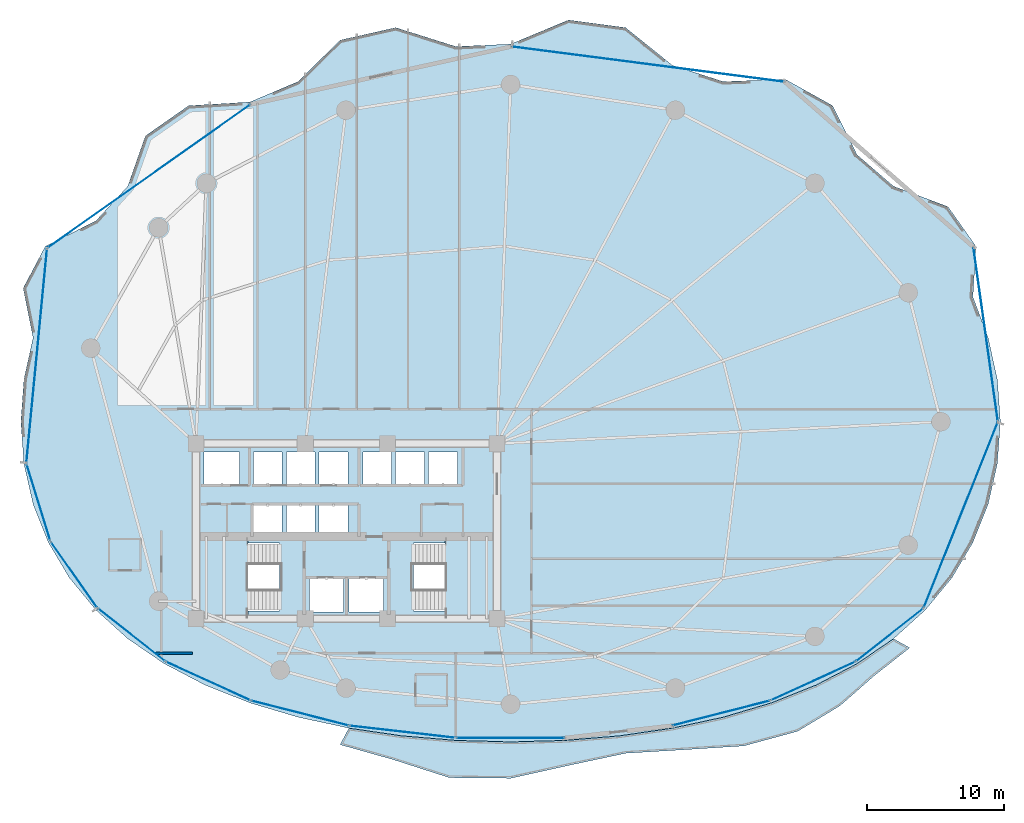
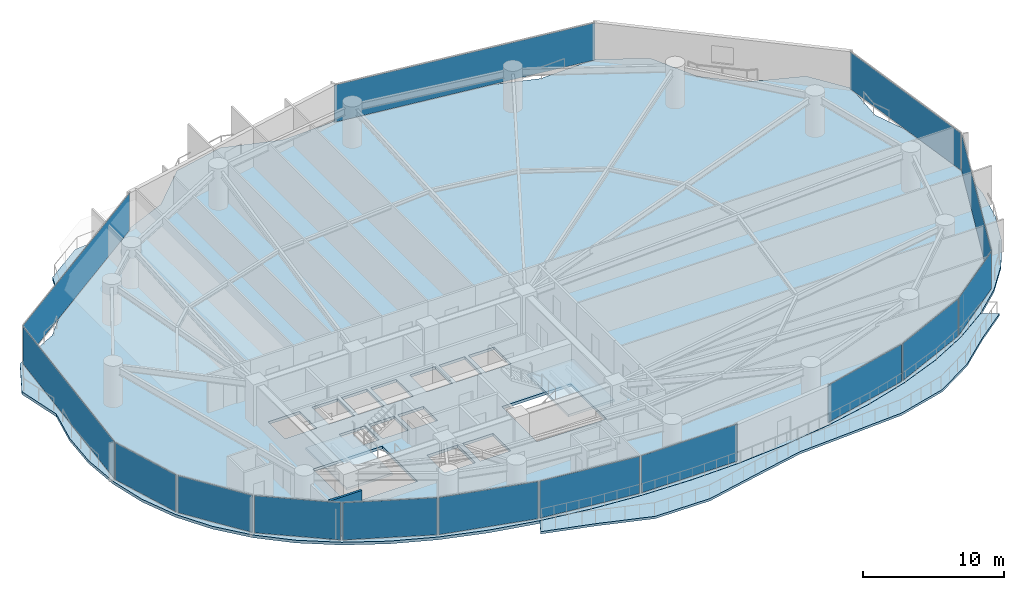
# One storey, part 24 of 31: 15 plates, 4 slabs, 1 wall, 17 elements without a shape of their own.
"""IFC4 building model written with IfcOpenShell, lengths in metres."""

from ifc_helpers import new_model, si_unit, direction, frame, frame_2d, origin, origin_2d, place, context, subcontext, project, spatial, polyline, rectangle, outline, extrude, material, layer, layer_set, type_object, element, aggregate, save


model = new_model("IFC4")

# Units and contexts
model_context = context("Model", 3, precision=1e-05, world=origin(), true_north=direction((0.0, 1.0)))
body_context = subcontext(model_context, "Body", "Model", "MODEL_VIEW")
ifc_project = project(units=[si_unit("LENGTHUNIT", "METRE"), si_unit("AREAUNIT", "SQUARE_METRE"), si_unit("VOLUMEUNIT", "CUBIC_METRE"), si_unit("PLANEANGLEUNIT", "RADIAN"), si_unit("MASSUNIT", "GRAM", prefix="KILO")], contexts=[model_context])

# Site, building, storey
site_placement = place(None, origin())
site = spatial("IfcSite", under=ifc_project, at=site_placement, CompositionType="ELEMENT")
building_placement = place(site_placement, origin())
building = spatial("IfcBuilding", under=site, at=building_placement, Name="Kazevale Care Tower and Concert Hall", CompositionType="ELEMENT")
storey_placement = place(building_placement, frame((0.0, 0.0, 56.39990234375)))
storey = spatial("IfcBuildingStorey", under=building, at=storey_placement, Name="L14", CompositionType="ELEMENT", Elevation=56.39990234375)

# Curtain wall, plate
ifc_material_1 = material(Name="Aluminium 6063-T6 and Low-E Glass", Category="aluminium")
ifc_layer_1 = layer(ifc_material_1, 0.179931640625)
ifc_layer_set_1 = layer_set([ifc_layer_1], Name="Aluminium 6063-T6 and Low-E Glass")
curtain_wall_type_1 = type_object("IfcCurtainWallType", Name="Convex Recessed Sunroom Curtain Wall CW-3", PredefinedType="NOTDEFINED", material=ifc_layer_set_1)
curtain_wall_1_placement = place(storey_placement, origin())
curtain_wall_1 = element("IfcCurtainWall", 1, at=curtain_wall_1_placement, inside=storey, type_object=curtain_wall_type_1, Name="cw:L14:f14", PredefinedType="NOTDEFINED")
ifc_material_2 = material(Name="Low-E Laminated Glass", Category="glass")
ifc_layer_2 = layer(ifc_material_2, 0.028076171875)
ifc_layer_set_2 = layer_set([ifc_layer_2], Name="Low-E Laminated Glass")
plate_type_1 = type_object("IfcPlateType", Name="CW-3 Low-E Glazing Panel 28mm", PredefinedType="CURTAIN_PANEL", material=ifc_layer_set_2)
plate_1_placement = place(storey_placement, frame((18.55810546875, 55.93896484375, 0.0751953125), z_axis=(0.0, 0.0, 1.0), x_axis=(0.816794332821, 0.57692895392, 0.0)))
plate_1 = element("IfcPlate", 2, at=plate_1_placement, type_object=plate_type_1, Name="CW-3 panel 1.1", PredefinedType="CURTAIN_PANEL", context=body_context, shape_type="SweptSolid", body=[
    extrude(rectangle(XDim=18.060302734375, YDim=0.028076171875, at=origin_2d()), origin(), (0.0, 0.0, 1.0), 3.2099609375),
])
aggregate(curtain_wall_1, [plate_1])

curtain_wall_2_placement = place(storey_placement, origin())
curtain_wall_2 = element("IfcCurtainWall", 3, at=curtain_wall_2_placement, inside=storey, type_object=curtain_wall_type_1, Name="cw:L14:f16", PredefinedType="NOTDEFINED")
plate_2_placement = place(storey_placement, frame((55.0400390625, 64.130615234375, 0.0751953125), z_axis=(0.0, 0.0, 1.0), x_axis=(0.991763039368, -0.128086196538, 0.0)))
plate_2 = element("IfcPlate", 4, at=plate_2_placement, type_object=plate_type_1, Name="CW-3 panel 1.1", PredefinedType="CURTAIN_PANEL", context=body_context, shape_type="SweptSolid", body=[
    extrude(rectangle(XDim=20.01611328125, YDim=0.028076171875, at=origin_2d()), origin(), (0.0, 0.0, 1.0), 3.2099609375),
])
aggregate(curtain_wall_2, [plate_2])

ifc_layer_3 = layer(ifc_material_1, 0.179931640625)
ifc_layer_set_3 = layer_set([ifc_layer_3], Name="Aluminium 6063-T6 and Low-E Glass")
curtain_wall_type_2 = type_object("IfcCurtainWallType", Name="Waist & Upper Residential Curtain Wall CW-4", PredefinedType="NOTDEFINED", material=ifc_layer_set_3)
curtain_wall_3_placement = place(storey_placement, origin())
curtain_wall_3 = element("IfcCurtainWall", 5, at=curtain_wall_3_placement, inside=storey, type_object=curtain_wall_type_2, Name="cw:L14:f01", PredefinedType="NOTDEFINED")
ifc_layer_4 = layer(ifc_material_2, 0.030029296875)
ifc_layer_set_4 = layer_set([ifc_layer_4], Name="Low-E Laminated Glass")
plate_type_2 = type_object("IfcPlateType", Name="CW-4 Low-E Glazing Panel 30mm", PredefinedType="CURTAIN_PANEL", material=ifc_layer_set_4)
plate_3_placement = place(storey_placement, frame((77.90087890625, 31.181884765625, 0.080078125), z_axis=(0.0, 0.0, 1.0), x_axis=(-0.370427424456, -0.928861412274, 0.0)))
plate_3 = element("IfcPlate", 6, at=plate_3_placement, type_object=plate_type_2, Name="CW-4 panel 1.1", PredefinedType="CURTAIN_PANEL", context=body_context, shape_type="SweptSolid", body=[
    extrude(rectangle(XDim=14.520263671875, YDim=0.030029296875, at=origin_2d()), origin(), (0.0, 0.0, 1.0), 3.199951171875),
])
aggregate(curtain_wall_3, [plate_3])

curtain_wall_4_placement = place(storey_placement, origin())
curtain_wall_4 = element("IfcCurtainWall", 7, at=curtain_wall_4_placement, inside=storey, type_object=curtain_wall_type_2, Name="cw:L14:f11", PredefinedType="NOTDEFINED")
plate_4_placement = place(storey_placement, frame((13.094482421875, 26.81103515625, 0.080078125), z_axis=(0.0, 0.0, 1.0), x_axis=(-0.575836813322, 0.817564654583, 0.0)))
plate_4 = element("IfcPlate", 8, at=plate_4_placement, type_object=plate_type_2, Name="CW-4 panel 1.1", PredefinedType="CURTAIN_PANEL", context=body_context, shape_type="SweptSolid", body=[
    extrude(rectangle(XDim=5.826171875, YDim=0.030029296875, at=origin_2d()), origin(), (0.0, 0.0, 1.0), 3.199951171875),
])
aggregate(curtain_wall_4, [plate_4])

curtain_wall_5_placement = place(storey_placement, origin())
curtain_wall_5 = element("IfcCurtainWall", 9, at=curtain_wall_5_placement, inside=storey, type_object=curtain_wall_type_2, Name="cw:L14:f12", PredefinedType="NOTDEFINED")
plate_5_placement = place(storey_placement, frame((10.487548828125, 32.10791015625, 0.080078125), z_axis=(0.0, 0.0, 1.0), x_axis=(-0.296098771112, 0.955157326175, 0.0)))
plate_5 = element("IfcPlate", 10, at=plate_5_placement, type_object=plate_type_2, Name="CW-4 panel 1.1", PredefinedType="CURTAIN_PANEL", context=body_context, shape_type="SweptSolid", body=[
    extrude(rectangle(XDim=5.8076171875, YDim=0.030029296875, at=origin_2d()), origin(), (0.0, 0.0, 1.0), 3.199951171875),
])
aggregate(curtain_wall_5, [plate_5])

curtain_wall_6_placement = place(storey_placement, origin())
curtain_wall_6 = element("IfcCurtainWall", 11, at=curtain_wall_6_placement, inside=storey, type_object=curtain_wall_type_2, Name="cw:L14:f13", PredefinedType="NOTDEFINED")
plate_6_placement = place(storey_placement, frame((10.362548828125, 42.822021484375, 0.080078125), z_axis=(0.0, 0.0, 1.0), x_axis=(0.096006644923, 0.995380693067, 0.0)))
plate_6 = element("IfcPlate", 12, at=plate_6_placement, type_object=plate_type_2, Name="CW-4 panel 1.1", PredefinedType="CURTAIN_PANEL", context=body_context, shape_type="SweptSolid", body=[
    extrude(rectangle(XDim=15.640869140625, YDim=0.030029296875, at=origin_2d()), origin(), (0.0, 0.0, 1.0), 3.199951171875),
])
aggregate(curtain_wall_6, [plate_6])

curtain_wall_7_placement = place(storey_placement, origin())
curtain_wall_7 = element("IfcCurtainWall", 13, at=curtain_wall_7_placement, inside=storey, type_object=curtain_wall_type_2, Name="cw:L14:f18", PredefinedType="NOTDEFINED")
plate_7_placement = place(storey_placement, frame((79.72412109375, 44.384521484375, 0.080078125), z_axis=(0.0, 0.0, 1.0), x_axis=(0.138977953775, -0.990295475282, 0.0)))
plate_7 = element("IfcPlate", 14, at=plate_7_placement, type_object=plate_type_2, Name="CW-4 panel 1.1", PredefinedType="CURTAIN_PANEL", context=body_context, shape_type="SweptSolid", body=[
    extrude(rectangle(XDim=12.734130859375, YDim=0.030029296875, at=origin_2d()), origin(), (0.0, 0.0, 1.0), 3.199951171875),
])
aggregate(curtain_wall_7, [plate_7])

ifc_layer_5 = layer(ifc_material_1, 0.179931640625)
ifc_layer_set_5 = layer_set([ifc_layer_5], Name="Aluminium 6063-T6 and Low-E Glass")
curtain_wall_type_3 = type_object("IfcCurtainWallType", Name="Sheltered Concave Balcony Curtain Wall CW-5", PredefinedType="NOTDEFINED", material=ifc_layer_set_5)
curtain_wall_8_placement = place(storey_placement, origin())
curtain_wall_8 = element("IfcCurtainWall", 15, at=curtain_wall_8_placement, inside=storey, type_object=curtain_wall_type_3, Name="cw:L14:f02", PredefinedType="NOTDEFINED")
ifc_layer_6 = layer(ifc_material_2, 0.02587890625)
ifc_layer_set_6 = layer_set([ifc_layer_6], Name="Low-E Laminated Glass")
plate_type_3 = type_object("IfcPlateType", Name="CW-5 Low-E Glazing Panel 26mm", PredefinedType="CURTAIN_PANEL", material=ifc_layer_set_6)
plate_8_placement = place(storey_placement, frame((72.701904296875, 22.41552734375, 0.0751953125), z_axis=(0.0, 0.0, 1.0), x_axis=(-0.78632934107, -0.617807548814, 0.0)))
plate_8 = element("IfcPlate", 16, at=plate_8_placement, type_object=plate_type_3, Name="CW-5 panel 1.1", PredefinedType="CURTAIN_PANEL", context=body_context, shape_type="SweptSolid", body=[
    extrude(rectangle(XDim=6.15771484375, YDim=0.02587890625, at=origin_2d()), origin(), (0.0, 0.0, 1.0), 3.2099609375),
])
aggregate(curtain_wall_8, [plate_8])

curtain_wall_9_placement = place(storey_placement, origin())
curtain_wall_9 = element("IfcCurtainWall", 17, at=curtain_wall_9_placement, inside=storey, type_object=curtain_wall_type_3, Name="cw:L14:f03", PredefinedType="NOTDEFINED")
plate_9_placement = place(storey_placement, frame((67.10498046875, 19.04248046875, 0.0751953125), z_axis=(0.0, 0.0, 1.0), x_axis=(-0.909520179795, -0.415659767773, 0.0)))
plate_9 = element("IfcPlate", 18, at=plate_9_placement, type_object=plate_type_3, Name="CW-5 panel 1.1", PredefinedType="CURTAIN_PANEL", context=body_context, shape_type="SweptSolid", body=[
    extrude(rectangle(XDim=6.7041015625, YDim=0.02587890625, at=origin_2d()), origin(), (0.0, 0.0, 1.0), 3.2099609375),
])
aggregate(curtain_wall_9, [plate_9])

curtain_wall_10_placement = place(storey_placement, origin())
curtain_wall_10 = element("IfcCurtainWall", 19, at=curtain_wall_10_placement, inside=storey, type_object=curtain_wall_type_3, Name="cw:L14:f04", PredefinedType="NOTDEFINED")
plate_10_placement = place(storey_placement, frame((60.389892578125, 16.699951171875, 0.0751953125), z_axis=(0.0, 0.0, 1.0), x_axis=(-0.968958899798, -0.247221864936, 0.0)))
plate_10 = element("IfcPlate", 20, at=plate_10_placement, type_object=plate_type_3, Name="CW-5 panel 1.1", PredefinedType="CURTAIN_PANEL", context=body_context, shape_type="SweptSolid", body=[
    extrude(rectangle(XDim=7.276611328125, YDim=0.02587890625, at=origin_2d()), origin(), (0.0, 0.0, 1.0), 3.2099609375),
])
aggregate(curtain_wall_10, [plate_10])

curtain_wall_11_placement = place(storey_placement, origin())
curtain_wall_11 = element("IfcCurtainWall", 21, at=curtain_wall_11_placement, inside=storey, type_object=curtain_wall_type_3, Name="cw:L14:f06", PredefinedType="NOTDEFINED")
plate_11_placement = place(storey_placement, frame((45.0, 14.889892578125, 0.0751953125), z_axis=(0.0, 0.0, 1.0), x_axis=(-1.0, 0.0, 0.0)))
plate_11 = element("IfcPlate", 22, at=plate_11_placement, type_object=plate_type_3, Name="CW-5 panel 1.1", PredefinedType="CURTAIN_PANEL", context=body_context, shape_type="SweptSolid", body=[
    extrude(rectangle(XDim=7.845947265625, YDim=0.02587890625, at=origin_2d()), origin(), (0.0, 0.0, 1.0), 3.2099609375),
])
aggregate(curtain_wall_11, [plate_11])

curtain_wall_12_placement = place(storey_placement, origin())
curtain_wall_12 = element("IfcCurtainWall", 23, at=curtain_wall_12_placement, inside=storey, type_object=curtain_wall_type_3, Name="cw:L14:f07", PredefinedType="NOTDEFINED")
plate_12_placement = place(storey_placement, frame((37.10498046875, 15.3359375, 0.0751953125), z_axis=(0.0, 0.0, 1.0), x_axis=(-0.993514581883, 0.113704773808, 0.0)))
plate_12 = element("IfcPlate", 24, at=plate_12_placement, type_object=plate_type_3, Name="CW-5 panel 1.1", PredefinedType="CURTAIN_PANEL", context=body_context, shape_type="SweptSolid", body=[
    extrude(rectangle(XDim=7.69482421875, YDim=0.02587890625, at=origin_2d()), origin(), (0.0, 0.0, 1.0), 3.2099609375),
])
aggregate(curtain_wall_12, [plate_12])

curtain_wall_13_placement = place(storey_placement, origin())
curtain_wall_13 = element("IfcCurtainWall", 25, at=curtain_wall_13_placement, inside=storey, type_object=curtain_wall_type_3, Name="cw:L14:f08", PredefinedType="NOTDEFINED")
plate_13_placement = place(storey_placement, frame((29.610107421875, 16.699951171875, 0.0751953125), z_axis=(0.0, 0.0, 1.0), x_axis=(-0.968958899798, 0.247221864936, 0.0)))
plate_13 = element("IfcPlate", 26, at=plate_13_placement, type_object=plate_type_3, Name="CW-5 panel 1.1", PredefinedType="CURTAIN_PANEL", context=body_context, shape_type="SweptSolid", body=[
    extrude(rectangle(XDim=7.276611328125, YDim=0.02587890625, at=origin_2d()), origin(), (0.0, 0.0, 1.0), 3.2099609375),
])
aggregate(curtain_wall_13, [plate_13])

curtain_wall_14_placement = place(storey_placement, origin())
curtain_wall_14 = element("IfcCurtainWall", 27, at=curtain_wall_14_placement, inside=storey, type_object=curtain_wall_type_3, Name="cw:L14:f09", PredefinedType="NOTDEFINED")
plate_14_placement = place(storey_placement, frame((22.89501953125, 19.04248046875, 0.0751953125), z_axis=(0.0, 0.0, 1.0), x_axis=(-0.909520179795, 0.415659767773, 0.0)))
plate_14 = element("IfcPlate", 28, at=plate_14_placement, type_object=plate_type_3, Name="CW-5 panel 1.1", PredefinedType="CURTAIN_PANEL", context=body_context, shape_type="SweptSolid", body=[
    extrude(rectangle(XDim=6.7041015625, YDim=0.02587890625, at=origin_2d()), origin(), (0.0, 0.0, 1.0), 3.2099609375),
])
aggregate(curtain_wall_14, [plate_14])

curtain_wall_15_placement = place(storey_placement, origin())
curtain_wall_15 = element("IfcCurtainWall", 29, at=curtain_wall_15_placement, inside=storey, type_object=curtain_wall_type_3, Name="cw:L14:f10", PredefinedType="NOTDEFINED")
plate_15_placement = place(storey_placement, frame((17.298095703125, 22.41552734375, 0.0751953125), z_axis=(0.0, 0.0, 1.0), x_axis=(-0.78632934107, 0.617807548814, 0.0)))
plate_15 = element("IfcPlate", 30, at=plate_15_placement, type_object=plate_type_3, Name="CW-5 panel 1.1", PredefinedType="CURTAIN_PANEL", context=body_context, shape_type="SweptSolid", body=[
    extrude(rectangle(XDim=6.15771484375, YDim=0.02587890625, at=origin_2d()), origin(), (0.0, 0.0, 1.0), 3.2099609375),
])
aggregate(curtain_wall_15, [plate_15])

# Slab
ifc_material_3 = material(Name="Concrete C40", Category="concrete")
ifc_layer_7 = layer(ifc_material_3, 0.199951171875)
ifc_layer_set_7 = layer_set([ifc_layer_7], Name="Concrete C40")
slab_type_1 = type_object("IfcSlabType", Name="Sinusoidal Concave Balcony Slab 200", PredefinedType="USERDEFINED", material=ifc_layer_set_7)
slab_1_placement = place(storey_placement, frame((0.0, 0.0, -0.199951171875)))
element("IfcSlab", 31, at=slab_1_placement, inside=storey, type_object=slab_type_1, Name="slab:L14:bal", ObjectType="BALCONY", PredefinedType="USERDEFINED", context=body_context, shape_type="SweptSolid", body=[
    extrude(outline(polyline([(74.16650390625, 21.4765625), (71.571533203125, 19.43359375), (69.071533203125, 17.238037109375), (65.970458984375, 15.371826171875), (62.042724609375, 14.30419921875), (57.658203125, 14.025146484375), (53.408935546875, 13.76806640625), (49.320068359375, 12.8984375), (45.0, 11.939697265625), (40.522216796875, 11.982666015625), (36.428955078125, 13.30078125), (32.5380859375, 14.396728515625), (33.173583984375, 15.6005859375), (33.175048828125, 15.600341796875), (37.033203125, 15.038818359375), (40.991455078125, 14.705322265625), (45.0, 14.594970703125), (49.008544921875, 14.705322265625), (52.966796875, 15.038818359375), (56.824951171875, 15.600341796875), (60.5341796875, 16.3984375), (64.04833984375, 17.443115234375), (67.322998046875, 18.743408203125), (70.31689453125, 20.3076171875), (72.99267578125, 22.139404296875), (72.994140625, 22.140625), (74.16650390625, 21.4765625)])), origin(), (0.0, 0.0, 1.0), 0.199951171875),
])

# Stair, slab
stair_type = type_object("IfcStairType", Name="Exit Stair Assembly ST1-Z1", PredefinedType="HALF_TURN_STAIR", material=ifc_material_3)
stair_1_placement = place(storey_placement, origin())
stair_1 = element("IfcStair", 32, at=stair_1_placement, inside=storey, type_object=stair_type, Name="stair:L14:ST1", PredefinedType="HALF_TURN_STAIR")
ifc_layer_8 = layer(ifc_material_3, 0.199951171875)
ifc_layer_set_8 = layer_set([ifc_layer_8], Name="Concrete C40")
slab_type_2 = type_object("IfcSlabType", Name="Stair Half-Landing Slab ST1-Z1", PredefinedType="LANDING", material=ifc_layer_set_8)
slab_2_placement = place(storey_placement, frame((0.0, 0.0, 1.60009765625)))
slab_2 = element("IfcSlab", 33, at=slab_2_placement, type_object=slab_type_2, Name="ST1-Z1 landing 1", PredefinedType="LANDING", context=body_context, shape_type="SweptSolid", body=[
    extrude(outline(polyline([(22.050048828125, 23.699951171875), (25.81005859375, 23.699951171875), (25.81005859375, 29.5), (22.050048828125, 29.5), (22.050048828125, 23.699951171875)])), origin(), (0.0, 0.0, 1.0), 0.199951171875),
])
aggregate(stair_1, [slab_2])

stair_2_placement = place(storey_placement, origin())
stair_2 = element("IfcStair", 34, at=stair_2_placement, inside=storey, type_object=stair_type, Name="stair:L14:ST2", PredefinedType="HALF_TURN_STAIR")
slab_3_placement = place(storey_placement, frame((0.0, 0.0, 1.60009765625)))
slab_3 = element("IfcSlab", 35, at=slab_3_placement, type_object=slab_type_2, Name="ST1-Z1 landing 1", PredefinedType="LANDING", context=body_context, shape_type="SweptSolid", body=[
    extrude(outline(polyline([(40.18994140625, 23.699951171875), (43.949951171875, 23.699951171875), (43.949951171875, 29.5), (40.18994140625, 29.5), (40.18994140625, 23.699951171875)])), origin(), (0.0, 0.0, 1.0), 0.199951171875),
])
aggregate(stair_2, [slab_3])

# Slab
ifc_layer_9 = layer(ifc_material_3, 0.239990234375)
ifc_layer_set_9 = layer_set([ifc_layer_9], Name="Concrete C40")
slab_type_3 = type_object("IfcSlabType", Name="Tower Typical Floor Slab 240", PredefinedType="FLOOR", material=ifc_layer_set_9)
slab_4_placement = place(storey_placement, frame((0.0, 0.0, -0.239990234375)))
element("IfcSlab", 36, at=slab_4_placement, inside=storey, type_object=slab_type_3, Name="slab:L14:tw:1", PredefinedType="FLOOR", context=body_context, shape_type="SweptSolid", body=[
    extrude(outline(polyline([(80.800048828125, 38.0), (80.574951171875, 41.090087890625), (79.90234375, 44.1416015625), (78.791015625, 47.11572265625), (79.01171875, 50.8212890625), (76.9638671875, 53.721435546875), (72.989501953125, 55.208251953125), (70.314453125, 57.51611328125), (68.53662109375, 61.10302734375), (65.084228515625, 63.020751953125), (60.532958984375, 62.86669921875), (56.823974609375, 64.05126953125), (53.400146484375, 66.80908203125), (49.226806640625, 67.3642578125), (45.0, 65.60009765625), (40.99169921875, 65.426513671875), (36.599853515625, 66.80908203125), (32.531982421875, 65.891845703125), (29.467041015625, 62.86669921875), (25.953369140625, 61.36962890625), (21.46337890625, 61.10302734375), (18.306640625, 58.89501953125), (17.010498046875, 55.208251953125), (14.687255859375, 52.68408203125), (10.98828125, 50.8212890625), (9.368408203125, 47.759765625), (10.09765625, 44.1416015625), (9.425048828125, 41.090087890625), (9.199951171875, 38.0), (9.425048828125, 34.931640625), (10.09765625, 31.972412109375), (11.208984375, 29.178466796875), (12.745361328125, 26.591064453125), (14.687255859375, 24.239501953125), (17.010498046875, 22.143310546875), (19.685546875, 20.31201171875), (22.67919921875, 18.748046875), (25.953369140625, 17.44775390625), (29.467041015625, 16.4033203125), (33.176025390625, 15.605224609375), (37.03369140625, 15.043701171875), (40.99169921875, 14.71044921875), (45.0, 14.60009765625), (49.00830078125, 14.71044921875), (52.96630859375, 15.043701171875), (56.823974609375, 15.605224609375), (60.532958984375, 16.4033203125), (64.046630859375, 17.44775390625), (67.32080078125, 18.748046875), (70.314453125, 20.31201171875), (72.989501953125, 22.143310546875), (75.312744140625, 24.239501953125), (77.254638671875, 26.591064453125), (78.791015625, 29.178466796875), (79.90234375, 31.972412109375), (80.574951171875, 34.931640625), (80.800048828125, 38.0)]), holes=[polyline([(22.449951171875, 24.14990234375), (28.110107421875, 24.14990234375), (28.110107421875, 29.14990234375), (22.449951171875, 29.14990234375), (22.449951171875, 24.14990234375)]), polyline([(37.889892578125, 24.14990234375), (43.550048828125, 24.14990234375), (43.550048828125, 29.14990234375), (37.889892578125, 29.14990234375), (37.889892578125, 24.14990234375)]), polyline([(30.300048828125, 24.10009765625), (32.800048828125, 24.10009765625), (32.800048828125, 26.60009765625), (30.300048828125, 26.60009765625), (30.300048828125, 24.10009765625)]), polyline([(33.199951171875, 24.10009765625), (35.699951171875, 24.10009765625), (35.699951171875, 26.60009765625), (33.199951171875, 26.60009765625), (33.199951171875, 24.10009765625)]), polyline([(22.60009765625, 33.39990234375), (25.199951171875, 33.39990234375), (25.199951171875, 35.800048828125), (22.60009765625, 35.800048828125), (22.60009765625, 33.39990234375)]), polyline([(26.199951171875, 33.39990234375), (28.300048828125, 33.39990234375), (28.300048828125, 35.800048828125), (26.199951171875, 35.800048828125), (26.199951171875, 33.39990234375)]), polyline([(28.60009765625, 33.39990234375), (30.699951171875, 33.39990234375), (30.699951171875, 35.800048828125), (28.60009765625, 35.800048828125), (28.60009765625, 33.39990234375)]), polyline([(31.0, 33.39990234375), (33.10009765625, 33.39990234375), (33.10009765625, 35.800048828125), (31.0, 35.800048828125), (31.0, 33.39990234375)]), polyline([(34.199951171875, 33.39990234375), (36.300048828125, 33.39990234375), (36.300048828125, 35.800048828125), (34.199951171875, 35.800048828125), (34.199951171875, 33.39990234375)]), polyline([(36.60009765625, 33.39990234375), (38.699951171875, 33.39990234375), (38.699951171875, 35.800048828125), (36.60009765625, 35.800048828125), (36.60009765625, 33.39990234375)]), polyline([(39.0, 33.39990234375), (41.10009765625, 33.39990234375), (41.10009765625, 35.800048828125), (39.0, 35.800048828125), (39.0, 33.39990234375)]), polyline([(26.199951171875, 29.949951171875), (28.300048828125, 29.949951171875), (28.300048828125, 31.949951171875), (26.199951171875, 31.949951171875), (26.199951171875, 29.949951171875)]), polyline([(28.60009765625, 29.949951171875), (30.699951171875, 29.949951171875), (30.699951171875, 31.949951171875), (28.60009765625, 31.949951171875), (28.60009765625, 29.949951171875)]), polyline([(31.0, 29.949951171875), (33.10009765625, 29.949951171875), (33.10009765625, 31.949951171875), (31.0, 31.949951171875), (31.0, 29.949951171875)])]), origin(), (0.0, 0.0, 1.0), 0.239990234375),
])

# Wall
ifc_material_4 = material(Name="Concrete C40 and Acoustic Gypsum", Category="concrete")
ifc_layer_10 = layer(ifc_material_4, 0.179931640625)
ifc_layer_set_10 = layer_set([ifc_layer_10], Name="Concrete C40 and Acoustic Gypsum")
wall_type = type_object("IfcWallType", Name="Fire-Rated Corridor & Party Wall 180", PredefinedType="PARTITIONING", material=ifc_layer_set_10)
wall_placement = place(storey_placement, frame((21.739990234375, 21.074951171875, 0.0), z_axis=(0.0, 0.0, 1.0), x_axis=(-1.0, 0.0, 0.0)))
element("IfcWall", 37, at=wall_placement, inside=storey, type_object=wall_type, Name="wall:L14:auto_015", PredefinedType="PARTITIONING", context=body_context, shape_type="SweptSolid", body=[
    extrude(rectangle(XDim=2.64501953125, YDim=0.179931640625, at=frame_2d((1.322509765625, 0.0))), origin(), (0.0, 0.0, 1.0), 3.360107421875),
])

save(model, "model.ifc")
